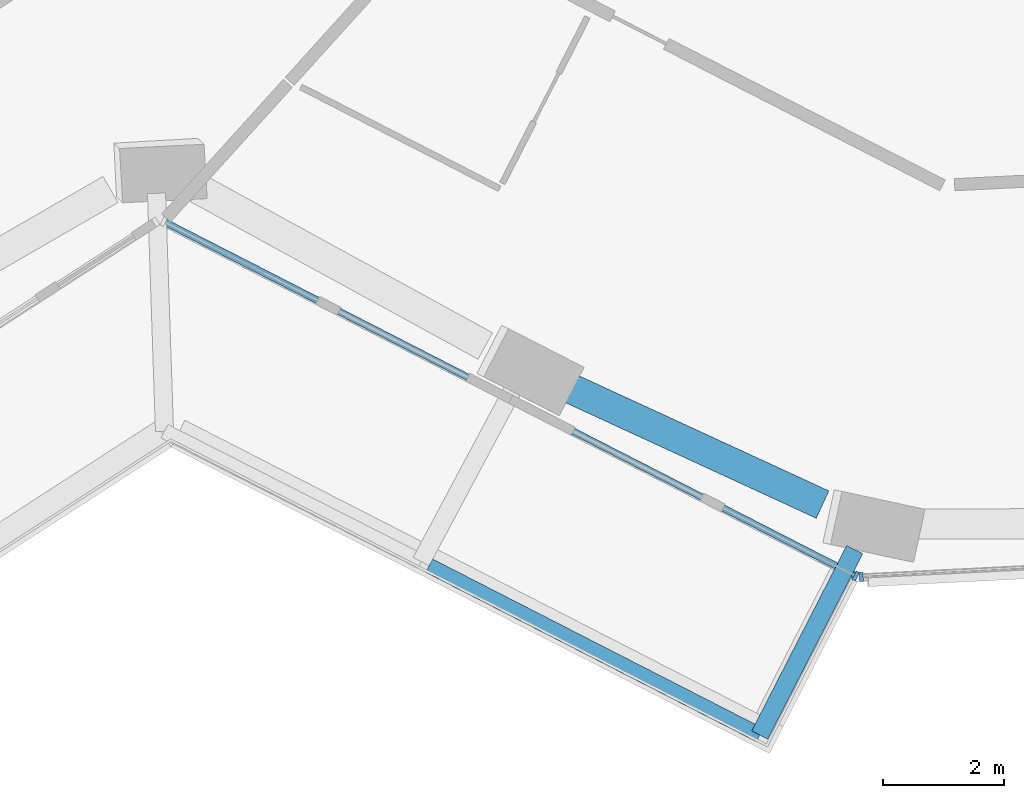
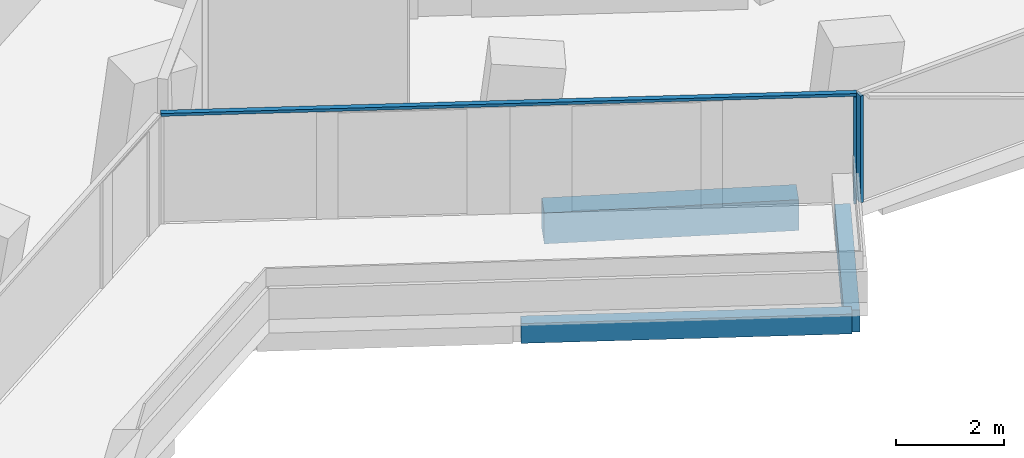
# One storey, part 3 of 25: 3 beams, 3 members, 2 elements without a shape of their own.
"""IFC4 building model written with IfcOpenShell, lengths in metres."""

from ifc_helpers import new_model, si_unit, direction, frame, origin, origin_2d, place, context, subcontext, project, spatial, rectangle, extrude, material, layer, layer_set, material_profile, profile_set, type_object, element, aggregate, save


model = new_model("IFC4")

# Units and contexts
model_context = context("Model", 3, precision=1e-05, world=origin(), true_north=direction((0.0, 1.0)))
body_context = subcontext(model_context, "Body", "Model", "MODEL_VIEW")
ifc_project = project(units=[si_unit("LENGTHUNIT", "METRE"), si_unit("AREAUNIT", "SQUARE_METRE"), si_unit("VOLUMEUNIT", "CUBIC_METRE"), si_unit("PLANEANGLEUNIT", "RADIAN"), si_unit("MASSUNIT", "GRAM", prefix="KILO")], contexts=[model_context])

# Site, building, storey
site_placement = place(None, origin())
site = spatial("IfcSite", under=ifc_project, at=site_placement, CompositionType="ELEMENT")
building_placement = place(site_placement, origin())
building = spatial("IfcBuilding", under=site, at=building_placement, Name="Verdalira Terraces Hotel", CompositionType="ELEMENT")
storey_placement = place(building_placement, frame((0.0, 0.0, 46.0)))
storey = spatial("IfcBuildingStorey", under=building, at=storey_placement, Name="L09", CompositionType="ELEMENT", Elevation=46.0)

# Beams
ifc_material_1 = material(Name="Concrete C40", Category="concrete")
ifc_material_profile_1 = material_profile(ifc_material_1, rectangle(XDim=0.300049, YDim=0.5, at=origin_2d()), Name="RC 300X500")
ifc_profile_set_1 = profile_set([ifc_material_profile_1], Name="Concrete C40")
beam_type_1 = type_object("IfcBeamType", Name="Balcony cantilever beam RC 300X500 C40", PredefinedType="BEAM", material=ifc_profile_set_1)
beam_1_placement = place(storey_placement, frame((-5.317139, -24.018066, -0.560059), z_axis=(-0.455920897, -0.890020301, 0.0), x_axis=(0.890020301, -0.455920897, 0.0)))
element("IfcBeam", 1, at=beam_1_placement, inside=storey, type_object=beam_type_1, Name="Balcony cantilever beam R24-3", PredefinedType="BEAM", context=body_context, shape_type="SweptSolid", body=[
    extrude(rectangle(XDim=0.300049, YDim=0.5, at=origin_2d()), origin(), (0.0, 0.0, 1.0), 3.457031),
])
ifc_material_2 = material(Name="Concrete C40", Category="concrete")
ifc_material_profile_2 = material_profile(ifc_material_2, rectangle(XDim=0.25, YDim=0.449951, at=origin_2d()), Name="RC 250X450")
ifc_profile_set_2 = profile_set([ifc_material_profile_2], Name="Concrete C40")
beam_type_2 = type_object("IfcBeamType", Name="Balcony edge beam RC 250X450 C40", PredefinedType="BEAM", material=ifc_profile_set_2)
beam_2_placement = place(storey_placement, frame((-12.37793, -24.285889, -0.534912), z_axis=(0.890050814, -0.455861325, 0.0), x_axis=(0.455861325, 0.890050814, 0.0)))
element("IfcBeam", 2, at=beam_2_placement, inside=storey, type_object=beam_type_2, Name="Balcony edge beam R24-2", PredefinedType="BEAM", context=body_context, shape_type="SweptSolid", body=[
    extrude(rectangle(XDim=0.25, YDim=0.449951, at=origin_2d()), origin(), (0.0, 0.0, 1.0), 6.162109),
])

# Curtain wall, member
ifc_material_3 = material(Name="Clear glass", Category="glass")
ifc_layer = layer(ifc_material_3, 0.14990234375)
ifc_layer_set = layer_set([ifc_layer], Name="CW1 curtain wall")
curtain_wall_type = type_object("IfcCurtainWallType", Name="CW1 curtain wall", PredefinedType="NOTDEFINED", material=ifc_layer_set)
curtain_wall_1_placement = place(storey_placement, origin())
curtain_wall_1 = element("IfcCurtainWall", 3, at=curtain_wall_1_placement, inside=storey, type_object=curtain_wall_type, Name="CW1 curtain wall L09 edge 25", PredefinedType="NOTDEFINED")
ifc_material_4 = material(Name="Terracotta frame", Category="masonry")
ifc_material_profile_3 = material_profile(ifc_material_4, rectangle(XDim=0.060059, YDim=0.149902, at=origin_2d()), Name="MU 60x150")
ifc_profile_set_3 = profile_set([ifc_material_profile_3], Name="Terracotta frame")
member_type_1 = type_object("IfcMemberType", Name="CW1 mullion 60x150", PredefinedType="MULLION", material=ifc_profile_set_3)
member_1_placement = place(storey_placement, frame((-5.30127, -24.455566, 0.0), z_axis=(0.0, 0.0, 1.0), x_axis=(0.890053735, -0.455855622, 0.0)))
member_1 = element("IfcMember", 4, at=member_1_placement, type_object=member_type_1, Name="CW1 mullion", PredefinedType="MULLION", context=body_context, shape_type="SweptSolid", body=[
    extrude(rectangle(XDim=0.060059, YDim=0.149902, at=origin_2d()), origin(), (0.0, 0.0, 1.0), 2.425049),
])

curtain_wall_2_placement = place(storey_placement, origin())
curtain_wall_2 = element("IfcCurtainWall", 5, at=curtain_wall_2_placement, inside=storey, type_object=curtain_wall_type, Name="CW1 curtain wall L09 edge 26", PredefinedType="NOTDEFINED")
member_2_placement = place(storey_placement, frame((-5.206543, -24.47583, 0.0), z_axis=(0.0, 0.0, 1.0), x_axis=(0.998736957, 0.050244318, 0.0)))
member_2 = element("IfcMember", 6, at=member_2_placement, type_object=member_type_1, Name="CW1 mullion", PredefinedType="MULLION", context=body_context, shape_type="SweptSolid", body=[
    extrude(rectangle(XDim=0.060059, YDim=0.149902, at=origin_2d()), origin(), (0.0, 0.0, 1.0), 2.425049),
])
aggregate(curtain_wall_2, [member_2])

# Member
ifc_material_5 = material(Name="Terracotta frame", Category="masonry")
ifc_material_profile_4 = material_profile(ifc_material_5, rectangle(XDim=0.110107, YDim=0.064941, at=origin_2d()), Name="TR 65x110")
ifc_profile_set_4 = profile_set([ifc_material_profile_4], Name="Terracotta frame")
member_type_2 = type_object("IfcMemberType", Name="CW1 transom 65x110", PredefinedType="USERDEFINED", material=ifc_profile_set_4)
member_3_placement = place(storey_placement, frame((-16.80957, -18.561523, 2.45752), z_axis=(0.890060143, -0.455843112, 0.0), x_axis=(0.455843112, 0.890060143, 0.0)))
member_3 = element("IfcMember", 7, at=member_3_placement, type_object=member_type_2, Name="CW1 transom", ObjectType="TRANSOM", PredefinedType="USERDEFINED", context=body_context, shape_type="SweptSolid", body=[
    extrude(rectangle(XDim=0.110107, YDim=0.064941, at=origin_2d()), origin(), (0.0, 0.0, 1.0), 12.959961),
])

aggregate(curtain_wall_1, [member_1, member_3])

# Beam
ifc_material_6 = material(Name="Concrete C70", Category="concrete")
ifc_material_profile_5 = material_profile(ifc_material_6, rectangle(XDim=0.5, YDim=0.699951, at=origin_2d()), Name="RC 500X700")
ifc_profile_set_5 = profile_set([ifc_material_profile_5], Name="Concrete C70")
beam_type_3 = type_object("IfcBeamType", Name="Spandrel beam RC 500X700 C70", PredefinedType="SPANDREL", material=ifc_profile_set_5)
beam_3_placement = place(storey_placement, frame((-10.169678, -21.281494, -0.659912), z_axis=(0.908234164, -0.418462307, 0.0), x_axis=(0.418462307, 0.908234164, 0.0)))
element("IfcBeam", 8, at=beam_3_placement, inside=storey, type_object=beam_type_3, Name="Spandrel beam B20", PredefinedType="SPANDREL", context=body_context, shape_type="SweptSolid", body=[
    extrude(rectangle(XDim=0.5, YDim=0.699951, at=origin_2d()), origin(), (0.0, 0.0, 1.0), 4.755371),
])

save(model, "model.ifc")
